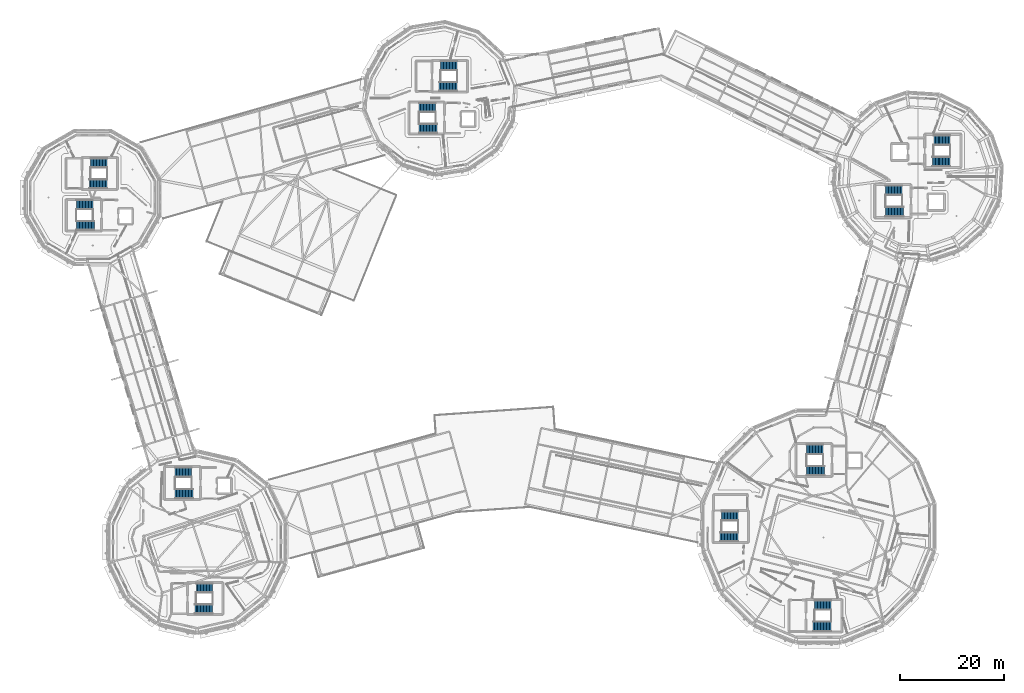
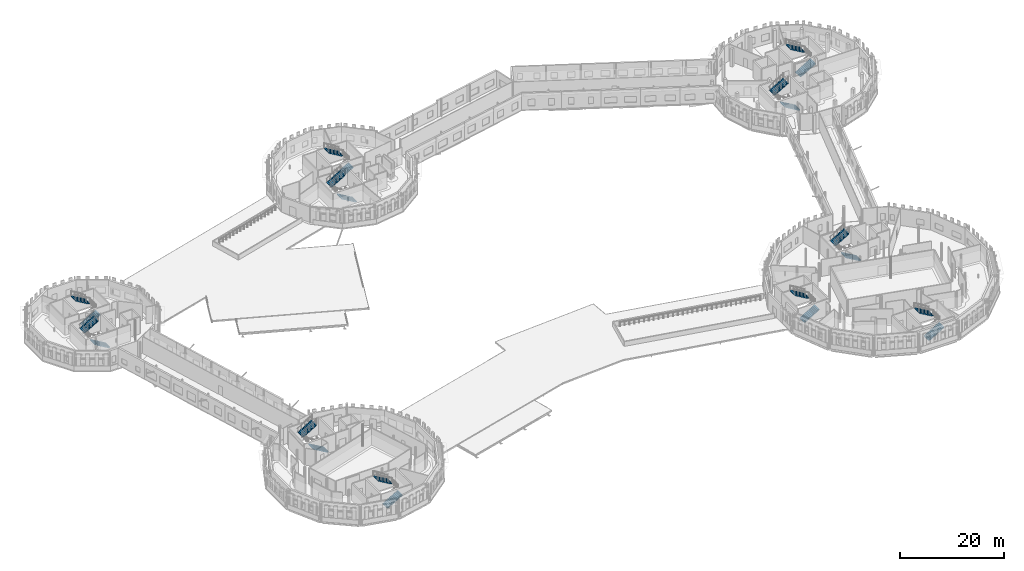
# One storey, part 73 of 90: 22 stair flights, 11 elements without a shape of their own.
"""IFC4 building model written with IfcOpenShell, lengths in metres."""

from ifc_helpers import new_model, si_unit, direction, frame, origin, place, context, subcontext, project, spatial, polyline, outline, extrude, material, type_object, element, aggregate, save


model = new_model("IFC4")

# Units and contexts
model_context = context("Model", 3, precision=1e-05, world=origin(), true_north=direction((0.0, 1.0)))
body_context = subcontext(model_context, "Body", "Model", "MODEL_VIEW")
ifc_project = project(units=[si_unit("LENGTHUNIT", "METRE"), si_unit("AREAUNIT", "SQUARE_METRE"), si_unit("VOLUMEUNIT", "CUBIC_METRE"), si_unit("PLANEANGLEUNIT", "RADIAN"), si_unit("MASSUNIT", "GRAM", prefix="KILO")], contexts=[model_context])

# Site, building, storey
site_placement = place(None, origin())
site = spatial("IfcSite", under=ifc_project, at=site_placement, CompositionType="ELEMENT")
building_placement = place(site_placement, origin())
building = spatial("IfcBuilding", under=site, at=building_placement, Name="Wrenclough Park School", CompositionType="ELEMENT")
storey_placement = place(building_placement, frame((0.0, 0.0, 8.39990234375)))
storey = spatial("IfcBuildingStorey", under=building, at=storey_placement, Name="L02", CompositionType="ELEMENT", Elevation=8.39990234375)

# Stair, stair flights
ifc_material = material(Name="Precast concrete C40/50", Category="concrete")
stair_type_1 = type_object("IfcStairType", Name="INT-ST-180-42", PredefinedType="HALF_TURN_STAIR", material=ifc_material)
stair_1_placement = place(storey_placement, origin())
stair_1 = element("IfcStair", 1, at=stair_1_placement, inside=storey, type_object=stair_type_1, Name="L02 escape stair ST-12", PredefinedType="HALF_TURN_STAIR")
stair_flight_type_1 = type_object("IfcStairFlightType", Name="INT-FL-180-168", PredefinedType="STRAIGHT", material=ifc_material)
stair_flight_1_placement = place(storey_placement, frame((136.659912109375, 24.5, 0.0), z_axis=(0.0, 0.0, 1.0), x_axis=(1.0, 0.0, 0.0)))
stair_flight_1 = element("IfcStairFlight", 2, at=stair_flight_1_placement, type_object=stair_flight_type_1, Name="ST-12 flight 1", NumberOfRisers=13, NumberOfTreads=12, PredefinedType="STRAIGHT", RiserHeight=0.168, TreadLength=0.285, context=body_context, shape_type="SweptSolid", body=[
    extrude(outline(polyline([(0.0, 0.0), (0.0, 0.16796875), (0.284912109375, 0.16796875), (0.284912109375, 0.3359375), (0.570068359375, 0.3359375), (0.570068359375, 0.50390625), (0.85498046875, 0.50390625), (0.85498046875, 0.672119140625), (1.139892578125, 0.672119140625), (1.139892578125, 0.840087890625), (1.425048828125, 0.840087890625), (1.425048828125, 1.008056640625), (1.7099609375, 1.008056640625), (1.7099609375, 1.176025390625), (1.9951171875, 1.176025390625), (1.9951171875, 1.343994140625), (2.280029296875, 1.343994140625), (2.280029296875, 1.511962890625), (2.56494140625, 1.511962890625), (2.56494140625, 1.679931640625), (2.85009765625, 1.679931640625), (2.85009765625, 1.847900390625), (3.135009765625, 1.847900390625), (3.135009765625, 2.01611328125), (3.419921875, 2.01611328125), (3.419921875, 2.18408203125), (3.419921875, 1.80712890625), (0.354248046875, 0.0), (0.0, 0.0)])), frame((0.0, 0.89990234375, 0.0), z_axis=(0.0, -1.0, 0.0), x_axis=(1.0, 0.0, 0.0)), (0.0, 0.0, 1.0), 1.800048828125),
])
stair_flight_2_placement = place(storey_placement, frame((140.080078125, 28.5, 2.18408203125), z_axis=(0.0, 0.0, 1.0), x_axis=(-1.0, 0.0, 0.0)))
stair_flight_2 = element("IfcStairFlight", 3, at=stair_flight_2_placement, type_object=stair_flight_type_1, Name="ST-12 flight 2", NumberOfRisers=12, NumberOfTreads=11, PredefinedType="STRAIGHT", RiserHeight=0.168, TreadLength=0.285, context=body_context, shape_type="SweptSolid", body=[
    extrude(outline(polyline([(0.0, 0.0), (0.0, 0.16796875), (0.284912109375, 0.16796875), (0.284912109375, 0.3359375), (0.570068359375, 0.3359375), (0.570068359375, 0.50390625), (0.85498046875, 0.50390625), (0.85498046875, 0.672119140625), (1.139892578125, 0.672119140625), (1.139892578125, 0.840087890625), (1.425048828125, 0.840087890625), (1.425048828125, 1.008056640625), (1.7099609375, 1.008056640625), (1.7099609375, 1.176025390625), (1.9951171875, 1.176025390625), (1.9951171875, 1.343994140625), (2.280029296875, 1.343994140625), (2.280029296875, 1.511962890625), (2.56494140625, 1.511962890625), (2.56494140625, 1.679931640625), (2.85009765625, 1.679931640625), (2.85009765625, 1.847900390625), (3.135009765625, 1.847900390625), (3.135009765625, 2.01611328125), (3.135009765625, 1.63916015625), (0.354248046875, 0.0), (0.0, 0.0)])), frame((0.0, 0.89990234375, 0.0), z_axis=(0.0, -1.0, 0.0), x_axis=(1.0, 0.0, 0.0)), (0.0, 0.0, 1.0), 1.800048828125),
])
aggregate(stair_1, [stair_flight_1, stair_flight_2])

stair_2_placement = place(storey_placement, origin())
stair_2 = element("IfcStair", 4, at=stair_2_placement, inside=storey, type_object=stair_type_1, Name="L02 escape stair ST-13", PredefinedType="HALF_TURN_STAIR")
stair_flight_3_placement = place(storey_placement, frame((36.06005859375, 10.699951171875, 0.0), z_axis=(0.0, 0.0, 1.0), x_axis=(1.0, 0.0, 0.0)))
stair_flight_3 = element("IfcStairFlight", 5, at=stair_flight_3_placement, type_object=stair_flight_type_1, Name="ST-13 flight 1", NumberOfRisers=13, NumberOfTreads=12, PredefinedType="STRAIGHT", RiserHeight=0.168, TreadLength=0.285, context=body_context, shape_type="SweptSolid", body=[
    extrude(outline(polyline([(0.0, 0.0), (0.0, 0.16796875), (0.284912109375, 0.16796875), (0.284912109375, 0.3359375), (0.570068359375, 0.3359375), (0.570068359375, 0.50390625), (0.85498046875, 0.50390625), (0.85498046875, 0.672119140625), (1.139892578125, 0.672119140625), (1.139892578125, 0.840087890625), (1.425048828125, 0.840087890625), (1.425048828125, 1.008056640625), (1.7099609375, 1.008056640625), (1.7099609375, 1.176025390625), (1.9951171875, 1.176025390625), (1.9951171875, 1.343994140625), (2.280029296875, 1.343994140625), (2.280029296875, 1.511962890625), (2.56494140625, 1.511962890625), (2.56494140625, 1.679931640625), (2.85009765625, 1.679931640625), (2.85009765625, 1.847900390625), (3.135009765625, 1.847900390625), (3.135009765625, 2.01611328125), (3.419921875, 2.01611328125), (3.419921875, 2.18408203125), (3.419921875, 1.80712890625), (0.354248046875, 0.0), (0.0, 0.0)])), frame((0.0, 0.89990234375, 0.0), z_axis=(0.0, -1.0, 0.0), x_axis=(1.0, 0.0, 0.0)), (0.0, 0.0, 1.0), 1.800048828125),
])
stair_flight_4_placement = place(storey_placement, frame((39.47998046875, 14.699951171875, 2.18408203125), z_axis=(0.0, 0.0, 1.0), x_axis=(-1.0, 0.0, 0.0)))
stair_flight_4 = element("IfcStairFlight", 6, at=stair_flight_4_placement, type_object=stair_flight_type_1, Name="ST-13 flight 2", NumberOfRisers=12, NumberOfTreads=11, PredefinedType="STRAIGHT", RiserHeight=0.168, TreadLength=0.285, context=body_context, shape_type="SweptSolid", body=[
    extrude(outline(polyline([(0.0, 0.0), (0.0, 0.16796875), (0.284912109375, 0.16796875), (0.284912109375, 0.3359375), (0.570068359375, 0.3359375), (0.570068359375, 0.50390625), (0.85498046875, 0.50390625), (0.85498046875, 0.672119140625), (1.139892578125, 0.672119140625), (1.139892578125, 0.840087890625), (1.425048828125, 0.840087890625), (1.425048828125, 1.008056640625), (1.7099609375, 1.008056640625), (1.7099609375, 1.176025390625), (1.9951171875, 1.176025390625), (1.9951171875, 1.343994140625), (2.280029296875, 1.343994140625), (2.280029296875, 1.511962890625), (2.56494140625, 1.511962890625), (2.56494140625, 1.679931640625), (2.85009765625, 1.679931640625), (2.85009765625, 1.847900390625), (3.135009765625, 1.847900390625), (3.135009765625, 2.01611328125), (3.135009765625, 1.63916015625), (0.354248046875, 0.0), (0.0, 0.0)])), frame((0.0, 0.89990234375, 0.0), z_axis=(0.0, -1.0, 0.0), x_axis=(1.0, 0.0, 0.0)), (0.0, 0.0, 1.0), 1.800048828125),
])
aggregate(stair_2, [stair_flight_3, stair_flight_4])

stair_3_placement = place(storey_placement, origin())
stair_3 = element("IfcStair", 7, at=stair_3_placement, inside=storey, type_object=stair_type_1, Name="L02 escape stair ST-03", PredefinedType="HALF_TURN_STAIR")
stair_flight_5_placement = place(storey_placement, frame((16.840087890625, 84.10009765625, 0.0), z_axis=(0.0, 0.0, 1.0), x_axis=(-1.0, 0.0, 0.0)))
stair_flight_5 = element("IfcStairFlight", 8, at=stair_flight_5_placement, type_object=stair_flight_type_1, Name="ST-03 flight 1", NumberOfRisers=13, NumberOfTreads=12, PredefinedType="STRAIGHT", RiserHeight=0.168, TreadLength=0.285, context=body_context, shape_type="SweptSolid", body=[
    extrude(outline(polyline([(0.0, 0.0), (0.0, 0.16796875), (0.284912109375, 0.16796875), (0.284912109375, 0.3359375), (0.570068359375, 0.3359375), (0.570068359375, 0.50390625), (0.85498046875, 0.50390625), (0.85498046875, 0.672119140625), (1.139892578125, 0.672119140625), (1.139892578125, 0.840087890625), (1.425048828125, 0.840087890625), (1.425048828125, 1.008056640625), (1.7099609375, 1.008056640625), (1.7099609375, 1.176025390625), (1.9951171875, 1.176025390625), (1.9951171875, 1.343994140625), (2.280029296875, 1.343994140625), (2.280029296875, 1.511962890625), (2.56494140625, 1.511962890625), (2.56494140625, 1.679931640625), (2.85009765625, 1.679931640625), (2.85009765625, 1.847900390625), (3.135009765625, 1.847900390625), (3.135009765625, 2.01611328125), (3.419921875, 2.01611328125), (3.419921875, 2.18408203125), (3.419921875, 1.80712890625), (0.354248046875, 0.0), (0.0, 0.0)])), frame((0.0, 0.89990234375, 0.0), z_axis=(0.0, -1.0, 0.0), x_axis=(1.0, 0.0, 0.0)), (0.0, 0.0, 1.0), 1.800048828125),
])
stair_flight_6_placement = place(storey_placement, frame((13.419921875, 88.10009765625, 2.18408203125), z_axis=(0.0, 0.0, 1.0), x_axis=(1.0, 0.0, 0.0)))
stair_flight_6 = element("IfcStairFlight", 9, at=stair_flight_6_placement, type_object=stair_flight_type_1, Name="ST-03 flight 2", NumberOfRisers=12, NumberOfTreads=11, PredefinedType="STRAIGHT", RiserHeight=0.168, TreadLength=0.285, context=body_context, shape_type="SweptSolid", body=[
    extrude(outline(polyline([(0.0, 0.0), (0.0, 0.16796875), (0.284912109375, 0.16796875), (0.284912109375, 0.3359375), (0.570068359375, 0.3359375), (0.570068359375, 0.50390625), (0.85498046875, 0.50390625), (0.85498046875, 0.672119140625), (1.139892578125, 0.672119140625), (1.139892578125, 0.840087890625), (1.425048828125, 0.840087890625), (1.425048828125, 1.008056640625), (1.7099609375, 1.008056640625), (1.7099609375, 1.176025390625), (1.9951171875, 1.176025390625), (1.9951171875, 1.343994140625), (2.280029296875, 1.343994140625), (2.280029296875, 1.511962890625), (2.56494140625, 1.511962890625), (2.56494140625, 1.679931640625), (2.85009765625, 1.679931640625), (2.85009765625, 1.847900390625), (3.135009765625, 1.847900390625), (3.135009765625, 2.01611328125), (3.135009765625, 1.63916015625), (0.354248046875, 0.0), (0.0, 0.0)])), frame((0.0, 0.89990234375, 0.0), z_axis=(0.0, -1.0, 0.0), x_axis=(1.0, 0.0, 0.0)), (0.0, 0.0, 1.0), 1.800048828125),
])
aggregate(stair_3, [stair_flight_5, stair_flight_6])

stair_4_placement = place(storey_placement, origin())
stair_4 = element("IfcStair", 10, at=stair_4_placement, inside=storey, type_object=stair_type_1, Name="L02 escape stair ST-07", PredefinedType="HALF_TURN_STAIR")
stair_flight_7_placement = place(storey_placement, frame((15.860107421875, 92.10009765625, 0.0), z_axis=(0.0, 0.0, 1.0), x_axis=(1.0, 0.0, 0.0)))
stair_flight_7 = element("IfcStairFlight", 11, at=stair_flight_7_placement, type_object=stair_flight_type_1, Name="ST-07 flight 1", NumberOfRisers=13, NumberOfTreads=12, PredefinedType="STRAIGHT", RiserHeight=0.168, TreadLength=0.285, context=body_context, shape_type="SweptSolid", body=[
    extrude(outline(polyline([(0.0, 0.0), (0.0, 0.16796875), (0.284912109375, 0.16796875), (0.284912109375, 0.3359375), (0.570068359375, 0.3359375), (0.570068359375, 0.50390625), (0.85498046875, 0.50390625), (0.85498046875, 0.672119140625), (1.139892578125, 0.672119140625), (1.139892578125, 0.840087890625), (1.425048828125, 0.840087890625), (1.425048828125, 1.008056640625), (1.7099609375, 1.008056640625), (1.7099609375, 1.176025390625), (1.9951171875, 1.176025390625), (1.9951171875, 1.343994140625), (2.280029296875, 1.343994140625), (2.280029296875, 1.511962890625), (2.56494140625, 1.511962890625), (2.56494140625, 1.679931640625), (2.85009765625, 1.679931640625), (2.85009765625, 1.847900390625), (3.135009765625, 1.847900390625), (3.135009765625, 2.01611328125), (3.419921875, 2.01611328125), (3.419921875, 2.18408203125), (3.419921875, 1.80712890625), (0.354248046875, 0.0), (0.0, 0.0)])), frame((0.0, 0.89990234375, 0.0), z_axis=(0.0, -1.0, 0.0), x_axis=(1.0, 0.0, 0.0)), (0.0, 0.0, 1.0), 1.800048828125),
])
stair_flight_8_placement = place(storey_placement, frame((19.280029296875, 96.10009765625, 2.18408203125), z_axis=(0.0, 0.0, 1.0), x_axis=(-1.0, 0.0, 0.0)))
stair_flight_8 = element("IfcStairFlight", 12, at=stair_flight_8_placement, type_object=stair_flight_type_1, Name="ST-07 flight 2", NumberOfRisers=12, NumberOfTreads=11, PredefinedType="STRAIGHT", RiserHeight=0.168, TreadLength=0.285, context=body_context, shape_type="SweptSolid", body=[
    extrude(outline(polyline([(0.0, 0.0), (0.0, 0.16796875), (0.284912109375, 0.16796875), (0.284912109375, 0.3359375), (0.570068359375, 0.3359375), (0.570068359375, 0.50390625), (0.85498046875, 0.50390625), (0.85498046875, 0.672119140625), (1.139892578125, 0.672119140625), (1.139892578125, 0.840087890625), (1.425048828125, 0.840087890625), (1.425048828125, 1.008056640625), (1.7099609375, 1.008056640625), (1.7099609375, 1.176025390625), (1.9951171875, 1.176025390625), (1.9951171875, 1.343994140625), (2.280029296875, 1.343994140625), (2.280029296875, 1.511962890625), (2.56494140625, 1.511962890625), (2.56494140625, 1.679931640625), (2.85009765625, 1.679931640625), (2.85009765625, 1.847900390625), (3.135009765625, 1.847900390625), (3.135009765625, 2.01611328125), (3.135009765625, 1.63916015625), (0.354248046875, 0.0), (0.0, 0.0)])), frame((0.0, 0.89990234375, 0.0), z_axis=(0.0, -1.0, 0.0), x_axis=(1.0, 0.0, 0.0)), (0.0, 0.0, 1.0), 1.800048828125),
])
aggregate(stair_4, [stair_flight_7, stair_flight_8])

stair_5_placement = place(storey_placement, origin())
stair_5 = element("IfcStair", 13, at=stair_5_placement, inside=storey, type_object=stair_type_1, Name="L02 escape stair ST-04", PredefinedType="HALF_TURN_STAIR")
stair_flight_9_placement = place(storey_placement, frame((82.43994140625, 102.699951171875, 0.0), z_axis=(0.0, 0.0, 1.0), x_axis=(-1.0, 0.0, 0.0)))
stair_flight_9 = element("IfcStairFlight", 14, at=stair_flight_9_placement, type_object=stair_flight_type_1, Name="ST-04 flight 1", NumberOfRisers=13, NumberOfTreads=12, PredefinedType="STRAIGHT", RiserHeight=0.168, TreadLength=0.285, context=body_context, shape_type="SweptSolid", body=[
    extrude(outline(polyline([(0.0, 0.0), (0.0, 0.16796875), (0.284912109375, 0.16796875), (0.284912109375, 0.3359375), (0.570068359375, 0.3359375), (0.570068359375, 0.50390625), (0.85498046875, 0.50390625), (0.85498046875, 0.672119140625), (1.139892578125, 0.672119140625), (1.139892578125, 0.840087890625), (1.425048828125, 0.840087890625), (1.425048828125, 1.008056640625), (1.7099609375, 1.008056640625), (1.7099609375, 1.176025390625), (1.9951171875, 1.176025390625), (1.9951171875, 1.343994140625), (2.280029296875, 1.343994140625), (2.280029296875, 1.511962890625), (2.56494140625, 1.511962890625), (2.56494140625, 1.679931640625), (2.85009765625, 1.679931640625), (2.85009765625, 1.847900390625), (3.135009765625, 1.847900390625), (3.135009765625, 2.01611328125), (3.419921875, 2.01611328125), (3.419921875, 2.18408203125), (3.419921875, 1.80712890625), (0.354248046875, 0.0), (0.0, 0.0)])), frame((0.0, 0.89990234375, 0.0), z_axis=(0.0, -1.0, 0.0), x_axis=(1.0, 0.0, 0.0)), (0.0, 0.0, 1.0), 1.800048828125),
])
stair_flight_10_placement = place(storey_placement, frame((79.02001953125, 106.699951171875, 2.18408203125), z_axis=(0.0, 0.0, 1.0), x_axis=(1.0, 0.0, 0.0)))
stair_flight_10 = element("IfcStairFlight", 15, at=stair_flight_10_placement, type_object=stair_flight_type_1, Name="ST-04 flight 2", NumberOfRisers=12, NumberOfTreads=11, PredefinedType="STRAIGHT", RiserHeight=0.168, TreadLength=0.285, context=body_context, shape_type="SweptSolid", body=[
    extrude(outline(polyline([(0.0, 0.0), (0.0, 0.16796875), (0.284912109375, 0.16796875), (0.284912109375, 0.3359375), (0.570068359375, 0.3359375), (0.570068359375, 0.50390625), (0.85498046875, 0.50390625), (0.85498046875, 0.672119140625), (1.139892578125, 0.672119140625), (1.139892578125, 0.840087890625), (1.425048828125, 0.840087890625), (1.425048828125, 1.008056640625), (1.7099609375, 1.008056640625), (1.7099609375, 1.176025390625), (1.9951171875, 1.176025390625), (1.9951171875, 1.343994140625), (2.280029296875, 1.343994140625), (2.280029296875, 1.511962890625), (2.56494140625, 1.511962890625), (2.56494140625, 1.679931640625), (2.85009765625, 1.679931640625), (2.85009765625, 1.847900390625), (3.135009765625, 1.847900390625), (3.135009765625, 2.01611328125), (3.135009765625, 1.63916015625), (0.354248046875, 0.0), (0.0, 0.0)])), frame((0.0, 0.89990234375, 0.0), z_axis=(0.0, -1.0, 0.0), x_axis=(1.0, 0.0, 0.0)), (0.0, 0.0, 1.0), 1.800048828125),
])
aggregate(stair_5, [stair_flight_9, stair_flight_10])

stair_6_placement = place(storey_placement, origin())
stair_6 = element("IfcStair", 16, at=stair_6_placement, inside=storey, type_object=stair_type_1, Name="L02 escape stair ST-08", PredefinedType="HALF_TURN_STAIR")
stair_flight_11_placement = place(storey_placement, frame((82.860107421875, 110.699951171875, 0.0), z_axis=(0.0, 0.0, 1.0), x_axis=(1.0, 0.0, 0.0)))
stair_flight_11 = element("IfcStairFlight", 17, at=stair_flight_11_placement, type_object=stair_flight_type_1, Name="ST-08 flight 1", NumberOfRisers=13, NumberOfTreads=12, PredefinedType="STRAIGHT", RiserHeight=0.168, TreadLength=0.285, context=body_context, shape_type="SweptSolid", body=[
    extrude(outline(polyline([(0.0, 0.0), (0.0, 0.16796875), (0.284912109375, 0.16796875), (0.284912109375, 0.3359375), (0.570068359375, 0.3359375), (0.570068359375, 0.50390625), (0.85498046875, 0.50390625), (0.85498046875, 0.672119140625), (1.139892578125, 0.672119140625), (1.139892578125, 0.840087890625), (1.425048828125, 0.840087890625), (1.425048828125, 1.008056640625), (1.7099609375, 1.008056640625), (1.7099609375, 1.176025390625), (1.9951171875, 1.176025390625), (1.9951171875, 1.343994140625), (2.280029296875, 1.343994140625), (2.280029296875, 1.511962890625), (2.56494140625, 1.511962890625), (2.56494140625, 1.679931640625), (2.85009765625, 1.679931640625), (2.85009765625, 1.847900390625), (3.135009765625, 1.847900390625), (3.135009765625, 2.01611328125), (3.419921875, 2.01611328125), (3.419921875, 2.18408203125), (3.419921875, 1.80712890625), (0.354248046875, 0.0), (0.0, 0.0)])), frame((0.0, 0.89990234375, 0.0), z_axis=(0.0, -1.0, 0.0), x_axis=(1.0, 0.0, 0.0)), (0.0, 0.0, 1.0), 1.800048828125),
])
stair_flight_12_placement = place(storey_placement, frame((86.280029296875, 114.699951171875, 2.18408203125), z_axis=(0.0, 0.0, 1.0), x_axis=(-1.0, 0.0, 0.0)))
stair_flight_12 = element("IfcStairFlight", 18, at=stair_flight_12_placement, type_object=stair_flight_type_1, Name="ST-08 flight 2", NumberOfRisers=12, NumberOfTreads=11, PredefinedType="STRAIGHT", RiserHeight=0.168, TreadLength=0.285, context=body_context, shape_type="SweptSolid", body=[
    extrude(outline(polyline([(0.0, 0.0), (0.0, 0.16796875), (0.284912109375, 0.16796875), (0.284912109375, 0.3359375), (0.570068359375, 0.3359375), (0.570068359375, 0.50390625), (0.85498046875, 0.50390625), (0.85498046875, 0.672119140625), (1.139892578125, 0.672119140625), (1.139892578125, 0.840087890625), (1.425048828125, 0.840087890625), (1.425048828125, 1.008056640625), (1.7099609375, 1.008056640625), (1.7099609375, 1.176025390625), (1.9951171875, 1.176025390625), (1.9951171875, 1.343994140625), (2.280029296875, 1.343994140625), (2.280029296875, 1.511962890625), (2.56494140625, 1.511962890625), (2.56494140625, 1.679931640625), (2.85009765625, 1.679931640625), (2.85009765625, 1.847900390625), (3.135009765625, 1.847900390625), (3.135009765625, 2.01611328125), (3.135009765625, 1.63916015625), (0.354248046875, 0.0), (0.0, 0.0)])), frame((0.0, 0.89990234375, 0.0), z_axis=(0.0, -1.0, 0.0), x_axis=(1.0, 0.0, 0.0)), (0.0, 0.0, 1.0), 1.800048828125),
])
aggregate(stair_6, [stair_flight_11, stair_flight_12])

stair_type_2 = type_object("IfcStairType", Name="INT-ST-190-42", PredefinedType="HALF_TURN_STAIR", material=ifc_material)
stair_7_placement = place(storey_placement, origin())
stair_7 = element("IfcStair", 19, at=stair_7_placement, inside=storey, type_object=stair_type_2, Name="L02 escape stair ST-01", PredefinedType="HALF_TURN_STAIR")
stair_flight_type_2 = type_object("IfcStairFlightType", Name="INT-FL-190-168", PredefinedType="STRAIGHT", material=ifc_material)
stair_flight_13_placement = place(storey_placement, frame((156.639892578125, 37.14990234375, 0.0), z_axis=(0.0, 0.0, 1.0), x_axis=(-1.0, 0.0, 0.0)))
stair_flight_13 = element("IfcStairFlight", 20, at=stair_flight_13_placement, type_object=stair_flight_type_2, Name="ST-01 flight 1", NumberOfRisers=13, NumberOfTreads=12, PredefinedType="STRAIGHT", RiserHeight=0.168, TreadLength=0.285, context=body_context, shape_type="SweptSolid", body=[
    extrude(outline(polyline([(0.0, 0.0), (0.0, 0.16796875), (0.284912109375, 0.16796875), (0.284912109375, 0.3359375), (0.570068359375, 0.3359375), (0.570068359375, 0.50390625), (0.85498046875, 0.50390625), (0.85498046875, 0.672119140625), (1.139892578125, 0.672119140625), (1.139892578125, 0.840087890625), (1.425048828125, 0.840087890625), (1.425048828125, 1.008056640625), (1.7099609375, 1.008056640625), (1.7099609375, 1.176025390625), (1.9951171875, 1.176025390625), (1.9951171875, 1.343994140625), (2.280029296875, 1.343994140625), (2.280029296875, 1.511962890625), (2.56494140625, 1.511962890625), (2.56494140625, 1.679931640625), (2.85009765625, 1.679931640625), (2.85009765625, 1.847900390625), (3.135009765625, 1.847900390625), (3.135009765625, 2.01611328125), (3.419921875, 2.01611328125), (3.419921875, 2.18408203125), (3.419921875, 1.80126953125), (0.364501953125, 0.0), (0.0, 0.0)])), frame((0.0, 0.949951171875, 0.0), z_axis=(0.0, -1.0, 0.0), x_axis=(1.0, 0.0, 0.0)), (0.0, 0.0, 1.0), 1.89990234375),
])
stair_flight_14_placement = place(storey_placement, frame((153.219970703125, 41.25, 2.18408203125), z_axis=(0.0, 0.0, 1.0), x_axis=(1.0, 0.0, 0.0)))
stair_flight_14 = element("IfcStairFlight", 21, at=stair_flight_14_placement, type_object=stair_flight_type_2, Name="ST-01 flight 2", NumberOfRisers=12, NumberOfTreads=11, PredefinedType="STRAIGHT", RiserHeight=0.168, TreadLength=0.285, context=body_context, shape_type="SweptSolid", body=[
    extrude(outline(polyline([(0.0, 0.0), (0.0, 0.16796875), (0.284912109375, 0.16796875), (0.284912109375, 0.3359375), (0.570068359375, 0.3359375), (0.570068359375, 0.50390625), (0.85498046875, 0.50390625), (0.85498046875, 0.672119140625), (1.139892578125, 0.672119140625), (1.139892578125, 0.840087890625), (1.425048828125, 0.840087890625), (1.425048828125, 1.008056640625), (1.7099609375, 1.008056640625), (1.7099609375, 1.176025390625), (1.9951171875, 1.176025390625), (1.9951171875, 1.343994140625), (2.280029296875, 1.343994140625), (2.280029296875, 1.511962890625), (2.56494140625, 1.511962890625), (2.56494140625, 1.679931640625), (2.85009765625, 1.679931640625), (2.85009765625, 1.847900390625), (3.135009765625, 1.847900390625), (3.135009765625, 2.01611328125), (3.135009765625, 1.63330078125), (0.364501953125, 0.0), (0.0, 0.0)])), frame((0.0, 0.949951171875, 0.0), z_axis=(0.0, -1.0, 0.0), x_axis=(1.0, 0.0, 0.0)), (0.0, 0.0, 1.0), 1.89990234375),
])
aggregate(stair_7, [stair_flight_13, stair_flight_14])

stair_8_placement = place(storey_placement, origin())
stair_8 = element("IfcStair", 22, at=stair_8_placement, inside=storey, type_object=stair_type_2, Name="L02 escape stair ST-09", PredefinedType="HALF_TURN_STAIR")
stair_flight_15_placement = place(storey_placement, frame((154.4599609375, 7.35009765625, 0.0), z_axis=(0.0, 0.0, 1.0), x_axis=(1.0, 0.0, 0.0)))
stair_flight_15 = element("IfcStairFlight", 23, at=stair_flight_15_placement, type_object=stair_flight_type_2, Name="ST-09 flight 1", NumberOfRisers=13, NumberOfTreads=12, PredefinedType="STRAIGHT", RiserHeight=0.168, TreadLength=0.285, context=body_context, shape_type="SweptSolid", body=[
    extrude(outline(polyline([(0.0, 0.0), (0.0, 0.16796875), (0.284912109375, 0.16796875), (0.284912109375, 0.3359375), (0.570068359375, 0.3359375), (0.570068359375, 0.50390625), (0.85498046875, 0.50390625), (0.85498046875, 0.672119140625), (1.139892578125, 0.672119140625), (1.139892578125, 0.840087890625), (1.425048828125, 0.840087890625), (1.425048828125, 1.008056640625), (1.7099609375, 1.008056640625), (1.7099609375, 1.176025390625), (1.9951171875, 1.176025390625), (1.9951171875, 1.343994140625), (2.280029296875, 1.343994140625), (2.280029296875, 1.511962890625), (2.56494140625, 1.511962890625), (2.56494140625, 1.679931640625), (2.85009765625, 1.679931640625), (2.85009765625, 1.847900390625), (3.135009765625, 1.847900390625), (3.135009765625, 2.01611328125), (3.419921875, 2.01611328125), (3.419921875, 2.18408203125), (3.419921875, 1.80126953125), (0.364501953125, 0.0), (0.0, 0.0)])), frame((0.0, 0.949951171875, 0.0), z_axis=(0.0, -1.0, 0.0), x_axis=(1.0, 0.0, 0.0)), (0.0, 0.0, 1.0), 1.89990234375),
])
stair_flight_16_placement = place(storey_placement, frame((157.8798828125, 11.449951171875, 2.18408203125), z_axis=(0.0, 0.0, 1.0), x_axis=(-1.0, 0.0, 0.0)))
stair_flight_16 = element("IfcStairFlight", 24, at=stair_flight_16_placement, type_object=stair_flight_type_2, Name="ST-09 flight 2", NumberOfRisers=12, NumberOfTreads=11, PredefinedType="STRAIGHT", RiserHeight=0.168, TreadLength=0.285, context=body_context, shape_type="SweptSolid", body=[
    extrude(outline(polyline([(0.0, 0.0), (0.0, 0.16796875), (0.284912109375, 0.16796875), (0.284912109375, 0.3359375), (0.570068359375, 0.3359375), (0.570068359375, 0.50390625), (0.85498046875, 0.50390625), (0.85498046875, 0.672119140625), (1.139892578125, 0.672119140625), (1.139892578125, 0.840087890625), (1.425048828125, 0.840087890625), (1.425048828125, 1.008056640625), (1.7099609375, 1.008056640625), (1.7099609375, 1.176025390625), (1.9951171875, 1.176025390625), (1.9951171875, 1.343994140625), (2.280029296875, 1.343994140625), (2.280029296875, 1.511962890625), (2.56494140625, 1.511962890625), (2.56494140625, 1.679931640625), (2.85009765625, 1.679931640625), (2.85009765625, 1.847900390625), (3.135009765625, 1.847900390625), (3.135009765625, 2.01611328125), (3.135009765625, 1.63330078125), (0.364501953125, 0.0), (0.0, 0.0)])), frame((0.0, 0.949951171875, 0.0), z_axis=(0.0, -1.0, 0.0), x_axis=(1.0, 0.0, 0.0)), (0.0, 0.0, 1.0), 1.89990234375),
])
aggregate(stair_8, [stair_flight_15, stair_flight_16])

stair_9_placement = place(storey_placement, origin())
stair_9 = element("IfcStair", 25, at=stair_9_placement, inside=storey, type_object=stair_type_2, Name="L02 escape stair ST-02", PredefinedType="HALF_TURN_STAIR")
stair_flight_17_placement = place(storey_placement, frame((35.739990234375, 32.75, 0.0), z_axis=(0.0, 0.0, 1.0), x_axis=(-1.0, 0.0, 0.0)))
stair_flight_17 = element("IfcStairFlight", 26, at=stair_flight_17_placement, type_object=stair_flight_type_2, Name="ST-02 flight 1", NumberOfRisers=13, NumberOfTreads=12, PredefinedType="STRAIGHT", RiserHeight=0.168, TreadLength=0.285, context=body_context, shape_type="SweptSolid", body=[
    extrude(outline(polyline([(0.0, 0.0), (0.0, 0.16796875), (0.284912109375, 0.16796875), (0.284912109375, 0.3359375), (0.570068359375, 0.3359375), (0.570068359375, 0.50390625), (0.85498046875, 0.50390625), (0.85498046875, 0.672119140625), (1.139892578125, 0.672119140625), (1.139892578125, 0.840087890625), (1.425048828125, 0.840087890625), (1.425048828125, 1.008056640625), (1.7099609375, 1.008056640625), (1.7099609375, 1.176025390625), (1.9951171875, 1.176025390625), (1.9951171875, 1.343994140625), (2.280029296875, 1.343994140625), (2.280029296875, 1.511962890625), (2.56494140625, 1.511962890625), (2.56494140625, 1.679931640625), (2.85009765625, 1.679931640625), (2.85009765625, 1.847900390625), (3.135009765625, 1.847900390625), (3.135009765625, 2.01611328125), (3.419921875, 2.01611328125), (3.419921875, 2.18408203125), (3.419921875, 1.80126953125), (0.364501953125, 0.0), (0.0, 0.0)])), frame((0.0, 0.949951171875, 0.0), z_axis=(0.0, -1.0, 0.0), x_axis=(1.0, 0.0, 0.0)), (0.0, 0.0, 1.0), 1.89990234375),
])
stair_flight_18_placement = place(storey_placement, frame((32.320068359375, 36.85009765625, 2.18408203125), z_axis=(0.0, 0.0, 1.0), x_axis=(1.0, 0.0, 0.0)))
stair_flight_18 = element("IfcStairFlight", 27, at=stair_flight_18_placement, type_object=stair_flight_type_2, Name="ST-02 flight 2", NumberOfRisers=12, NumberOfTreads=11, PredefinedType="STRAIGHT", RiserHeight=0.168, TreadLength=0.285, context=body_context, shape_type="SweptSolid", body=[
    extrude(outline(polyline([(0.0, 0.0), (0.0, 0.16796875), (0.284912109375, 0.16796875), (0.284912109375, 0.3359375), (0.570068359375, 0.3359375), (0.570068359375, 0.50390625), (0.85498046875, 0.50390625), (0.85498046875, 0.672119140625), (1.139892578125, 0.672119140625), (1.139892578125, 0.840087890625), (1.425048828125, 0.840087890625), (1.425048828125, 1.008056640625), (1.7099609375, 1.008056640625), (1.7099609375, 1.176025390625), (1.9951171875, 1.176025390625), (1.9951171875, 1.343994140625), (2.280029296875, 1.343994140625), (2.280029296875, 1.511962890625), (2.56494140625, 1.511962890625), (2.56494140625, 1.679931640625), (2.85009765625, 1.679931640625), (2.85009765625, 1.847900390625), (3.135009765625, 1.847900390625), (3.135009765625, 2.01611328125), (3.135009765625, 1.63330078125), (0.364501953125, 0.0), (0.0, 0.0)])), frame((0.0, 0.949951171875, 0.0), z_axis=(0.0, -1.0, 0.0), x_axis=(1.0, 0.0, 0.0)), (0.0, 0.0, 1.0), 1.89990234375),
])
aggregate(stair_9, [stair_flight_17, stair_flight_18])

stair_10_placement = place(storey_placement, origin())
stair_10 = element("IfcStair", 28, at=stair_10_placement, inside=storey, type_object=stair_type_2, Name="L02 escape stair ST-05", PredefinedType="HALF_TURN_STAIR")
stair_flight_19_placement = place(storey_placement, frame((171.739990234375, 86.75, 0.0), z_axis=(0.0, 0.0, 1.0), x_axis=(-1.0, 0.0, 0.0)))
stair_flight_19 = element("IfcStairFlight", 29, at=stair_flight_19_placement, type_object=stair_flight_type_2, Name="ST-05 flight 1", NumberOfRisers=13, NumberOfTreads=12, PredefinedType="STRAIGHT", RiserHeight=0.168, TreadLength=0.285, context=body_context, shape_type="SweptSolid", body=[
    extrude(outline(polyline([(0.0, 0.0), (0.0, 0.16796875), (0.284912109375, 0.16796875), (0.284912109375, 0.3359375), (0.570068359375, 0.3359375), (0.570068359375, 0.50390625), (0.85498046875, 0.50390625), (0.85498046875, 0.672119140625), (1.139892578125, 0.672119140625), (1.139892578125, 0.840087890625), (1.425048828125, 0.840087890625), (1.425048828125, 1.008056640625), (1.7099609375, 1.008056640625), (1.7099609375, 1.176025390625), (1.9951171875, 1.176025390625), (1.9951171875, 1.343994140625), (2.280029296875, 1.343994140625), (2.280029296875, 1.511962890625), (2.56494140625, 1.511962890625), (2.56494140625, 1.679931640625), (2.85009765625, 1.679931640625), (2.85009765625, 1.847900390625), (3.135009765625, 1.847900390625), (3.135009765625, 2.01611328125), (3.419921875, 2.01611328125), (3.419921875, 2.18408203125), (3.419921875, 1.80126953125), (0.364501953125, 0.0), (0.0, 0.0)])), frame((0.0, 0.949951171875, 0.0), z_axis=(0.0, -1.0, 0.0), x_axis=(1.0, 0.0, 0.0)), (0.0, 0.0, 1.0), 1.89990234375),
])
stair_flight_20_placement = place(storey_placement, frame((168.320068359375, 90.85009765625, 2.18408203125), z_axis=(0.0, 0.0, 1.0), x_axis=(1.0, 0.0, 0.0)))
stair_flight_20 = element("IfcStairFlight", 30, at=stair_flight_20_placement, type_object=stair_flight_type_2, Name="ST-05 flight 2", NumberOfRisers=12, NumberOfTreads=11, PredefinedType="STRAIGHT", RiserHeight=0.168, TreadLength=0.285, context=body_context, shape_type="SweptSolid", body=[
    extrude(outline(polyline([(0.0, 0.0), (0.0, 0.16796875), (0.284912109375, 0.16796875), (0.284912109375, 0.3359375), (0.570068359375, 0.3359375), (0.570068359375, 0.50390625), (0.85498046875, 0.50390625), (0.85498046875, 0.672119140625), (1.139892578125, 0.672119140625), (1.139892578125, 0.840087890625), (1.425048828125, 0.840087890625), (1.425048828125, 1.008056640625), (1.7099609375, 1.008056640625), (1.7099609375, 1.176025390625), (1.9951171875, 1.176025390625), (1.9951171875, 1.343994140625), (2.280029296875, 1.343994140625), (2.280029296875, 1.511962890625), (2.56494140625, 1.511962890625), (2.56494140625, 1.679931640625), (2.85009765625, 1.679931640625), (2.85009765625, 1.847900390625), (3.135009765625, 1.847900390625), (3.135009765625, 2.01611328125), (3.135009765625, 1.63330078125), (0.364501953125, 0.0), (0.0, 0.0)])), frame((0.0, 0.949951171875, 0.0), z_axis=(0.0, -1.0, 0.0), x_axis=(1.0, 0.0, 0.0)), (0.0, 0.0, 1.0), 1.89990234375),
])
aggregate(stair_10, [stair_flight_19, stair_flight_20])

stair_11_placement = place(storey_placement, origin())
stair_11 = element("IfcStair", 31, at=stair_11_placement, inside=storey, type_object=stair_type_2, Name="L02 escape stair ST-06", PredefinedType="HALF_TURN_STAIR")
stair_flight_21_placement = place(storey_placement, frame((177.260009765625, 96.35009765625, 0.0), z_axis=(0.0, 0.0, 1.0), x_axis=(1.0, 0.0, 0.0)))
stair_flight_21 = element("IfcStairFlight", 32, at=stair_flight_21_placement, type_object=stair_flight_type_2, Name="ST-06 flight 1", NumberOfRisers=13, NumberOfTreads=12, PredefinedType="STRAIGHT", RiserHeight=0.168, TreadLength=0.285, context=body_context, shape_type="SweptSolid", body=[
    extrude(outline(polyline([(0.0, 0.0), (0.0, 0.16796875), (0.284912109375, 0.16796875), (0.284912109375, 0.3359375), (0.570068359375, 0.3359375), (0.570068359375, 0.50390625), (0.85498046875, 0.50390625), (0.85498046875, 0.672119140625), (1.139892578125, 0.672119140625), (1.139892578125, 0.840087890625), (1.425048828125, 0.840087890625), (1.425048828125, 1.008056640625), (1.7099609375, 1.008056640625), (1.7099609375, 1.176025390625), (1.9951171875, 1.176025390625), (1.9951171875, 1.343994140625), (2.280029296875, 1.343994140625), (2.280029296875, 1.511962890625), (2.56494140625, 1.511962890625), (2.56494140625, 1.679931640625), (2.85009765625, 1.679931640625), (2.85009765625, 1.847900390625), (3.135009765625, 1.847900390625), (3.135009765625, 2.01611328125), (3.419921875, 2.01611328125), (3.419921875, 2.18408203125), (3.419921875, 1.80126953125), (0.364501953125, 0.0), (0.0, 0.0)])), frame((0.0, 0.949951171875, 0.0), z_axis=(0.0, -1.0, 0.0), x_axis=(1.0, 0.0, 0.0)), (0.0, 0.0, 1.0), 1.89990234375),
])
stair_flight_22_placement = place(storey_placement, frame((180.679931640625, 100.449951171875, 2.18408203125), z_axis=(0.0, 0.0, 1.0), x_axis=(-1.0, 0.0, 0.0)))
stair_flight_22 = element("IfcStairFlight", 33, at=stair_flight_22_placement, type_object=stair_flight_type_2, Name="ST-06 flight 2", NumberOfRisers=12, NumberOfTreads=11, PredefinedType="STRAIGHT", RiserHeight=0.168, TreadLength=0.285, context=body_context, shape_type="SweptSolid", body=[
    extrude(outline(polyline([(0.0, 0.0), (0.0, 0.16796875), (0.284912109375, 0.16796875), (0.284912109375, 0.3359375), (0.570068359375, 0.3359375), (0.570068359375, 0.50390625), (0.85498046875, 0.50390625), (0.85498046875, 0.672119140625), (1.139892578125, 0.672119140625), (1.139892578125, 0.840087890625), (1.425048828125, 0.840087890625), (1.425048828125, 1.008056640625), (1.7099609375, 1.008056640625), (1.7099609375, 1.176025390625), (1.9951171875, 1.176025390625), (1.9951171875, 1.343994140625), (2.280029296875, 1.343994140625), (2.280029296875, 1.511962890625), (2.56494140625, 1.511962890625), (2.56494140625, 1.679931640625), (2.85009765625, 1.679931640625), (2.85009765625, 1.847900390625), (3.135009765625, 1.847900390625), (3.135009765625, 2.01611328125), (3.135009765625, 1.63330078125), (0.364501953125, 0.0), (0.0, 0.0)])), frame((0.0, 0.949951171875, 0.0), z_axis=(0.0, -1.0, 0.0), x_axis=(1.0, 0.0, 0.0)), (0.0, 0.0, 1.0), 1.89990234375),
])
aggregate(stair_11, [stair_flight_21, stair_flight_22])

save(model, "model.ifc")
